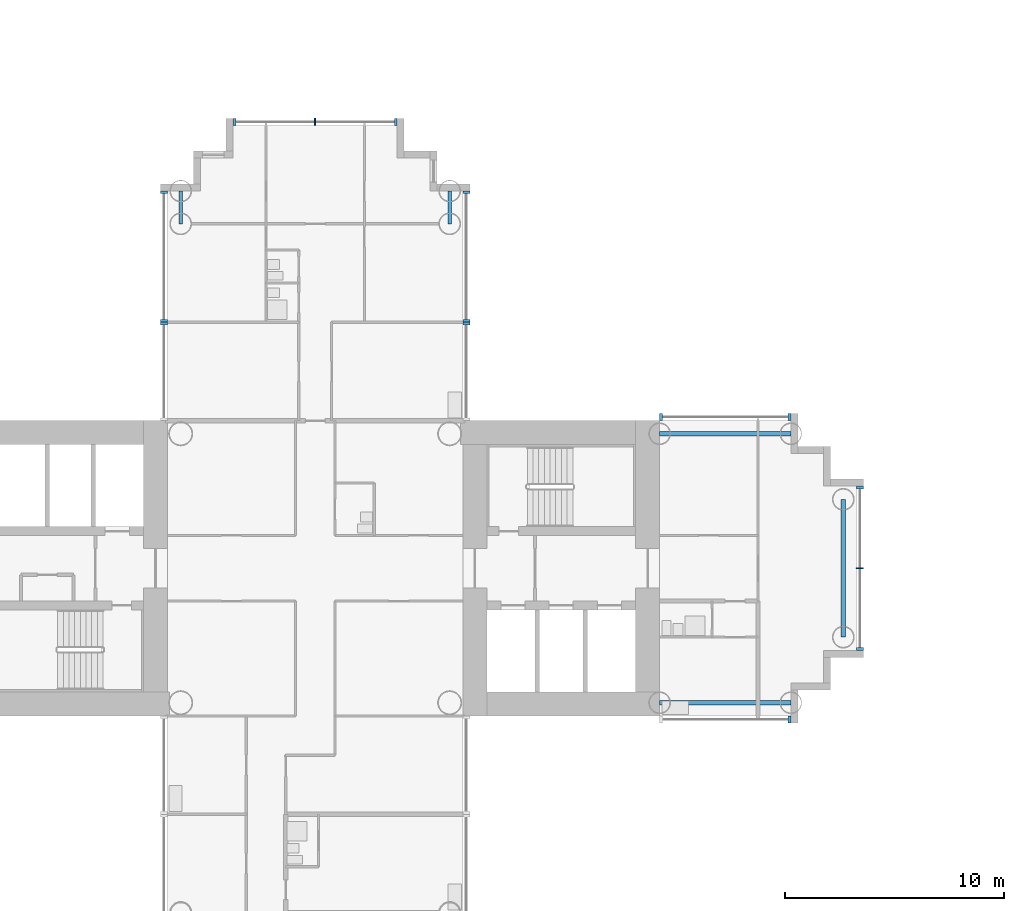
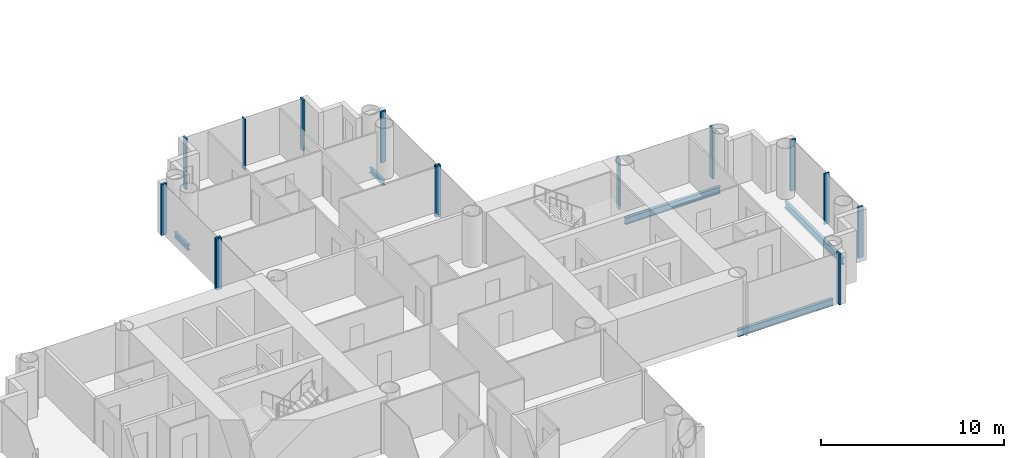
# One storey, part 4 of 21: 15 members, 5 beams, 8 elements without a shape of their own.
"""IFC4 building model written with IfcOpenShell, lengths in metres."""

from ifc_helpers import new_model, si_unit, direction, frame, origin, origin_2d, place, context, subcontext, project, spatial, rectangle, i_section, extrude, material, layer, layer_set, material_profile, profile_set, type_object, element, aggregate, save


model = new_model("IFC4")

# Units and contexts
model_context = context("Model", 3, precision=1e-05, world=origin(), true_north=direction((0.0, 1.0)))
body_context = subcontext(model_context, "Body", "Model", "MODEL_VIEW")
ifc_project = project(units=[si_unit("LENGTHUNIT", "METRE"), si_unit("AREAUNIT", "SQUARE_METRE"), si_unit("VOLUMEUNIT", "CUBIC_METRE"), si_unit("PLANEANGLEUNIT", "RADIAN"), si_unit("MASSUNIT", "GRAM", prefix="KILO")], contexts=[model_context])

# Site, building, storey
site_placement = place(None, origin())
site = spatial("IfcSite", under=ifc_project, at=site_placement, CompositionType="ELEMENT")
building_placement = place(site_placement, origin())
building = spatial("IfcBuilding", under=site, at=building_placement, Name="Ipe Terrace Towers", CompositionType="ELEMENT")
storey_placement = place(building_placement, frame((0.0, 0.0, 27.89990234375)))
storey = spatial("IfcBuildingStorey", under=building, at=storey_placement, Name="L06", CompositionType="ELEMENT", Elevation=27.89990234375)

# Beams
ifc_material_1 = material(Name="Steel S355", Category="steel")
ifc_material_profile_1 = material_profile(ifc_material_1, i_section(OverallWidth=0.175048828125, OverallDepth=0.35009765625, WebThickness=0.007080078125, FlangeThickness=0.010986328125, at=origin_2d()), Name="H-350x175x7x11")
ifc_profile_set_1 = profile_set([ifc_material_profile_1], Name="Steel S355")
beam_type_1 = type_object("IfcBeamType", Name="H04 EDGE BEAM H-350x175x7x11", PredefinedType="BEAM", material=ifc_profile_set_1)
for number, where, z_axis, x_axis, name in (
    (1, (-29.85009765625, 15.75, -0.574951171875), (0.0, 1.0, 0.0), (-1.0, 0.0, 0.0), "Edge beam T1-EB-B03-B05"),
    (2, (-42.14990234375, 15.75, -0.574951171875), (0.0, 1.0, 0.0), (-1.0, 0.0, 0.0), "Edge beam T1-EB-B04-B06"),
):
    element("IfcBeam", number, at=place(storey_placement, frame(where, z_axis=z_axis, x_axis=x_axis)), inside=storey, type_object=beam_type_1, Name=name, PredefinedType="BEAM", context=body_context, shape_type="SweptSolid", body=[
        extrude(i_section(OverallWidth=0.175048828125, OverallDepth=0.35009765625, WebThickness=0.007080078125, FlangeThickness=0.010986328125, at=origin_2d()), origin(), (0.0, 0.0, 1.0), 1.5),
    ])
ifc_material_2 = material(Name="Steel S355", Category="steel")
ifc_material_profile_2 = material_profile(ifc_material_2, i_section(OverallWidth=0.199951171875, OverallDepth=0.449951171875, WebThickness=0.009033203125, FlangeThickness=0.013916015625, at=origin_2d()), Name="H-450x200x9x14")
ifc_profile_set_2 = profile_set([ifc_material_profile_2], Name="Steel S355")
beam_type_2 = type_object("IfcBeamType", Name="H08 EDGE BEAM H-450x200x9x14", PredefinedType="BEAM", material=ifc_profile_set_2)
for number, where, z_axis, x_axis, name in (
    (3, (-20.25, -6.14990234375, -0.625), (1.0, 0.0, 0.0), (0.0, 1.0, 0.0), "Edge beam T1-EB-A01-A03"),
    (4, (-20.25, 6.14990234375, -0.625), (1.0, 0.0, 0.0), (0.0, 1.0, 0.0), "Edge beam T1-EB-A02-A04"),
):
    element("IfcBeam", number, at=place(storey_placement, frame(where, z_axis=z_axis, x_axis=x_axis)), inside=storey, type_object=beam_type_2, Name=name, PredefinedType="BEAM", context=body_context, shape_type="SweptSolid", body=[
        extrude(i_section(OverallWidth=0.199951171875, OverallDepth=0.449951171875, WebThickness=0.009033203125, FlangeThickness=0.013916015625, at=origin_2d()), origin(), (0.0, 0.0, 1.0), 6.0),
    ])
beam_placement = place(storey_placement, frame((-11.85009765625, -3.14990234375, -0.625), z_axis=(0.0, 1.0, 0.0), x_axis=(-1.0, 0.0, 0.0)))
element("IfcBeam", 5, at=beam_placement, inside=storey, type_object=beam_type_2, Name="Edge beam T1-EB-A05-A06", PredefinedType="BEAM", context=body_context, shape_type="SweptSolid", body=[
    extrude(i_section(OverallWidth=0.199951171875, OverallDepth=0.449951171875, WebThickness=0.009033203125, FlangeThickness=0.013916015625, at=origin_2d()), origin(), (0.0, 0.0, 1.0), 6.2998046875),
])

# Curtain wall, member
ifc_material_3 = material(Name="Aluminium alloy 6063-T6", Category="aluminium")
ifc_layer = layer(ifc_material_3, 0.320068359375)
ifc_layer_set = layer_set([ifc_layer], Name="TOWER UNITISED CURTAIN WALL")
curtain_wall_type = type_object("IfcCurtainWallType", Name="TOWER UNITISED CURTAIN WALL", PredefinedType="NOTDEFINED", material=ifc_layer_set)
curtain_wall_1_placement = place(storey_placement, origin())
curtain_wall_1 = element("IfcCurtainWall", 6, at=curtain_wall_1_placement, inside=storey, type_object=curtain_wall_type, Name="T1-CW-L06-20b curtain wall", PredefinedType="NOTDEFINED")
ifc_material_4 = material(Name="Aluminium alloy 6063-T6", Category="aluminium")
ifc_material_profile_3 = material_profile(ifc_material_4, rectangle(XDim=0.320068359375, YDim=0.1201171875, at=origin_2d()), Name="TOWER UNITISED CORNER MULLION 320 x 120")
ifc_profile_set_3 = profile_set([ifc_material_profile_3], Name="Aluminium alloy 6063-T6")
member_type_1 = type_object("IfcMemberType", Name="TOWER UNITISED CORNER MULLION 320 x 120", PredefinedType="MULLION", material=ifc_profile_set_3)
member_1_placement = place(storey_placement, frame((-14.31005859375, -6.909912109375, -0.2998046875), z_axis=(0.0, 0.0, 1.0), x_axis=(0.0, -1.0, 0.0)))
member_1 = element("IfcMember", 7, at=member_1_placement, type_object=member_type_1, Name="T1-CW-L06-20b mullion 2", PredefinedType="MULLION", context=body_context, shape_type="SweptSolid", body=[
    extrude(rectangle(XDim=0.320068359375, YDim=0.1201171875, at=origin_2d()), origin(), (0.0, 0.0, 1.0), 3.39990234375),
])
aggregate(curtain_wall_1, [member_1])

# Curtain wall, members
curtain_wall_2_placement = place(storey_placement, origin())
curtain_wall_2 = element("IfcCurtainWall", 8, at=curtain_wall_2_placement, inside=storey, type_object=curtain_wall_type, Name="T1-CW-L06-25a curtain wall", PredefinedType="NOTDEFINED")
member_2_placement = place(storey_placement, frame((-11.090087890625, -3.68994140625, -0.2998046875), z_axis=(0.0, 0.0, 1.0), x_axis=(1.0, 0.0, 0.0)))
member_2 = element("IfcMember", 9, at=member_2_placement, type_object=member_type_1, Name="T1-CW-L06-25a mullion 1", PredefinedType="MULLION", context=body_context, shape_type="SweptSolid", body=[
    extrude(rectangle(XDim=0.320068359375, YDim=0.1201171875, at=origin_2d()), origin(), (0.0, 0.0, 1.0), 3.39990234375),
])
member_3_placement = place(storey_placement, frame((-11.090087890625, 3.68994140625, -0.2998046875), z_axis=(0.0, 0.0, 1.0), x_axis=(1.0, 0.0, 0.0)))
member_3 = element("IfcMember", 10, at=member_3_placement, type_object=member_type_1, Name="T1-CW-L06-25a mullion 3", PredefinedType="MULLION", context=body_context, shape_type="SweptSolid", body=[
    extrude(rectangle(XDim=0.320068359375, YDim=0.1201171875, at=origin_2d()), origin(), (0.0, 0.0, 1.0), 3.39990234375),
])

curtain_wall_3_placement = place(storey_placement, origin())
curtain_wall_3 = element("IfcCurtainWall", 11, at=curtain_wall_3_placement, inside=storey, type_object=curtain_wall_type, Name="T1-CW-L06-30a curtain wall", PredefinedType="NOTDEFINED")
member_4_placement = place(storey_placement, frame((-14.31005859375, 6.909912109375, -0.2998046875), z_axis=(0.0, 0.0, 1.0), x_axis=(0.0, 1.0, 0.0)))
member_4 = element("IfcMember", 12, at=member_4_placement, type_object=member_type_1, Name="T1-CW-L06-30a mullion 1", PredefinedType="MULLION", context=body_context, shape_type="SweptSolid", body=[
    extrude(rectangle(XDim=0.320068359375, YDim=0.1201171875, at=origin_2d()), origin(), (0.0, 0.0, 1.0), 3.39990234375),
])
member_5_placement = place(storey_placement, frame((-20.18896484375, 6.909912109375, -0.2998046875), z_axis=(0.0, 0.0, 1.0), x_axis=(0.0, 1.0, 0.0)))
member_5 = element("IfcMember", 13, at=member_5_placement, type_object=member_type_1, Name="T1-CW-L06-30a mullion 2", PredefinedType="MULLION", context=body_context, shape_type="SweptSolid", body=[
    extrude(rectangle(XDim=0.320068359375, YDim=0.1201171875, at=origin_2d()), origin(), (0.0, 0.0, 1.0), 3.39990234375),
])
aggregate(curtain_wall_3, [member_4, member_5])

# Curtain wall, member
curtain_wall_4_placement = place(storey_placement, origin())
curtain_wall_4 = element("IfcCurtainWall", 14, at=curtain_wall_4_placement, inside=storey, type_object=curtain_wall_type, Name="T1-CW-L06-32a curtain wall", PredefinedType="NOTDEFINED")
member_6_placement = place(storey_placement, frame((-29.090087890625, 11.18994140625, -0.2998046875), z_axis=(0.0, 0.0, 1.0), x_axis=(1.0, 0.0, 0.0)))
member_6 = element("IfcMember", 15, at=member_6_placement, type_object=member_type_1, Name="T1-CW-L06-32a mullion 2", PredefinedType="MULLION", context=body_context, shape_type="SweptSolid", body=[
    extrude(rectangle(XDim=0.320068359375, YDim=0.1201171875, at=origin_2d()), origin(), (0.0, 0.0, 1.0), 3.39990234375),
])
aggregate(curtain_wall_4, [member_6])

# Curtain wall, members
curtain_wall_5_placement = place(storey_placement, origin())
curtain_wall_5 = element("IfcCurtainWall", 16, at=curtain_wall_5_placement, inside=storey, type_object=curtain_wall_type, Name="T1-CW-L06-33a curtain wall", PredefinedType="NOTDEFINED")
member_7_placement = place(storey_placement, frame((-29.090087890625, 11.31005859375, -0.2998046875), z_axis=(0.0, 0.0, 1.0), x_axis=(1.0, 0.0, 0.0)))
member_7 = element("IfcMember", 17, at=member_7_placement, type_object=member_type_1, Name="T1-CW-L06-33a mullion 1", PredefinedType="MULLION", context=body_context, shape_type="SweptSolid", body=[
    extrude(rectangle(XDim=0.320068359375, YDim=0.1201171875, at=origin_2d()), origin(), (0.0, 0.0, 1.0), 3.39990234375),
])
member_8_placement = place(storey_placement, frame((-29.090087890625, 17.18994140625, -0.2998046875), z_axis=(0.0, 0.0, 1.0), x_axis=(1.0, 0.0, 0.0)))
member_8 = element("IfcMember", 18, at=member_8_placement, type_object=member_type_1, Name="T1-CW-L06-33a mullion 2", PredefinedType="MULLION", context=body_context, shape_type="SweptSolid", body=[
    extrude(rectangle(XDim=0.320068359375, YDim=0.1201171875, at=origin_2d()), origin(), (0.0, 0.0, 1.0), 3.39990234375),
])
aggregate(curtain_wall_5, [member_7, member_8])

curtain_wall_6_placement = place(storey_placement, origin())
curtain_wall_6 = element("IfcCurtainWall", 19, at=curtain_wall_6_placement, inside=storey, type_object=curtain_wall_type, Name="T1-CW-L06-38a curtain wall", PredefinedType="NOTDEFINED")
member_9_placement = place(storey_placement, frame((-32.31005859375, 20.409912109375, -0.2998046875), z_axis=(0.0, 0.0, 1.0), x_axis=(0.0, 1.0, 0.0)))
member_9 = element("IfcMember", 20, at=member_9_placement, type_object=member_type_1, Name="T1-CW-L06-38a mullion 1", PredefinedType="MULLION", context=body_context, shape_type="SweptSolid", body=[
    extrude(rectangle(XDim=0.320068359375, YDim=0.1201171875, at=origin_2d()), origin(), (0.0, 0.0, 1.0), 3.39990234375),
])
member_10_placement = place(storey_placement, frame((-39.68994140625, 20.409912109375, -0.2998046875), z_axis=(0.0, 0.0, 1.0), x_axis=(0.0, 1.0, 0.0)))
member_10 = element("IfcMember", 21, at=member_10_placement, type_object=member_type_1, Name="T1-CW-L06-38a mullion 3", PredefinedType="MULLION", context=body_context, shape_type="SweptSolid", body=[
    extrude(rectangle(XDim=0.320068359375, YDim=0.1201171875, at=origin_2d()), origin(), (0.0, 0.0, 1.0), 3.39990234375),
])

curtain_wall_7_placement = place(storey_placement, origin())
curtain_wall_7 = element("IfcCurtainWall", 22, at=curtain_wall_7_placement, inside=storey, type_object=curtain_wall_type, Name="T1-CW-L06-43a curtain wall", PredefinedType="NOTDEFINED")
member_11_placement = place(storey_placement, frame((-42.909912109375, 17.18994140625, -0.2998046875), z_axis=(0.0, 0.0, 1.0), x_axis=(-1.0, 0.0, 0.0)))
member_11 = element("IfcMember", 23, at=member_11_placement, type_object=member_type_1, Name="T1-CW-L06-43a mullion 1", PredefinedType="MULLION", context=body_context, shape_type="SweptSolid", body=[
    extrude(rectangle(XDim=0.320068359375, YDim=0.1201171875, at=origin_2d()), origin(), (0.0, 0.0, 1.0), 3.39990234375),
])
member_12_placement = place(storey_placement, frame((-42.909912109375, 11.31005859375, -0.2998046875), z_axis=(0.0, 0.0, 1.0), x_axis=(-1.0, 0.0, 0.0)))
member_12 = element("IfcMember", 24, at=member_12_placement, type_object=member_type_1, Name="T1-CW-L06-43a mullion 2", PredefinedType="MULLION", context=body_context, shape_type="SweptSolid", body=[
    extrude(rectangle(XDim=0.320068359375, YDim=0.1201171875, at=origin_2d()), origin(), (0.0, 0.0, 1.0), 3.39990234375),
])
aggregate(curtain_wall_7, [member_11, member_12])

# Curtain wall, member
curtain_wall_8_placement = place(storey_placement, origin())
curtain_wall_8 = element("IfcCurtainWall", 25, at=curtain_wall_8_placement, inside=storey, type_object=curtain_wall_type, Name="T1-CW-L06-44a curtain wall", PredefinedType="NOTDEFINED")
member_13_placement = place(storey_placement, frame((-42.909912109375, 11.18994140625, -0.2998046875), z_axis=(0.0, 0.0, 1.0), x_axis=(-1.0, 0.0, 0.0)))
member_13 = element("IfcMember", 26, at=member_13_placement, type_object=member_type_1, Name="T1-CW-L06-44a mullion 1", PredefinedType="MULLION", context=body_context, shape_type="SweptSolid", body=[
    extrude(rectangle(XDim=0.320068359375, YDim=0.1201171875, at=origin_2d()), origin(), (0.0, 0.0, 1.0), 3.39990234375),
])
aggregate(curtain_wall_8, [member_13])

# Member
ifc_material_5 = material(Name="Aluminium alloy 6063-T6", Category="aluminium")
ifc_material_profile_4 = material_profile(ifc_material_5, rectangle(XDim=0.320068359375, YDim=0.06494140625, at=origin_2d()), Name="TOWER UNITISED MULLION 320 x 65")
ifc_profile_set_4 = profile_set([ifc_material_profile_4], Name="Aluminium alloy 6063-T6")
member_type_2 = type_object("IfcMemberType", Name="TOWER UNITISED MULLION 320 x 65", PredefinedType="MULLION", material=ifc_profile_set_4)
member_14_placement = place(storey_placement, frame((-11.090087890625, 0.0, -0.2998046875), z_axis=(0.0, 0.0, 1.0), x_axis=(1.0, 0.0, 0.0)))
member_14 = element("IfcMember", 27, at=member_14_placement, type_object=member_type_2, Name="T1-CW-L06-25a mullion 2", PredefinedType="MULLION", context=body_context, shape_type="SweptSolid", body=[
    extrude(rectangle(XDim=0.320068359375, YDim=0.06494140625, at=origin_2d()), origin(), (0.0, 0.0, 1.0), 3.39990234375),
])

aggregate(curtain_wall_2, [member_2, member_14, member_3])

member_15_placement = place(storey_placement, frame((-36.0, 20.409912109375, -0.2998046875), z_axis=(0.0, 0.0, 1.0), x_axis=(0.0, 1.0, 0.0)))
member_15 = element("IfcMember", 28, at=member_15_placement, type_object=member_type_2, Name="T1-CW-L06-38a mullion 2", PredefinedType="MULLION", context=body_context, shape_type="SweptSolid", body=[
    extrude(rectangle(XDim=0.320068359375, YDim=0.06494140625, at=origin_2d()), origin(), (0.0, 0.0, 1.0), 3.39990234375),
])

aggregate(curtain_wall_6, [member_9, member_15, member_10])

save(model, "model.ifc")
